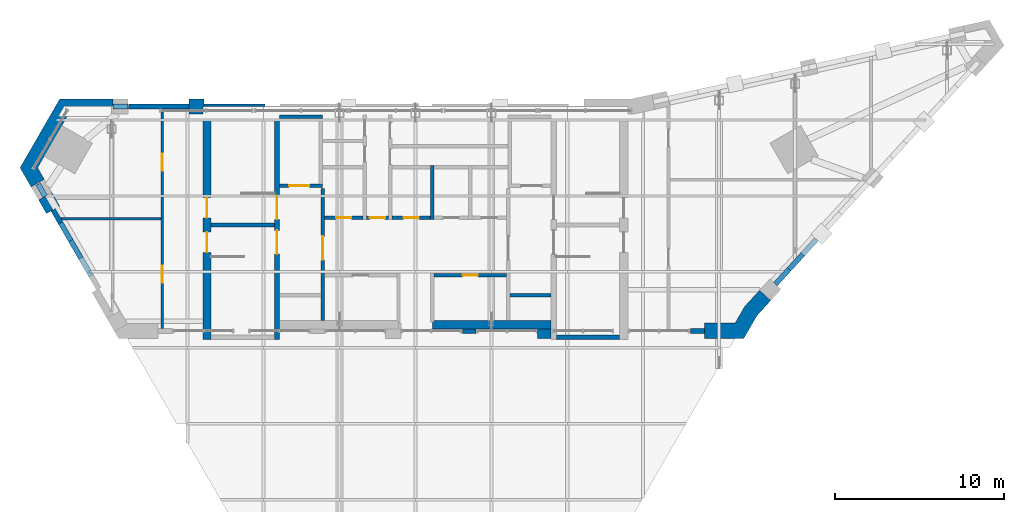
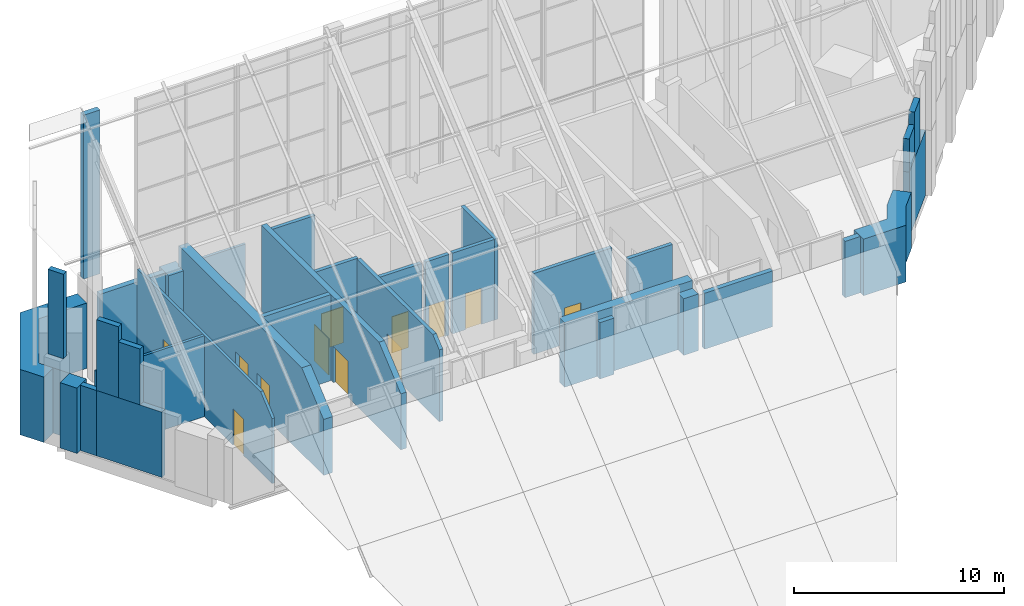
# One storey, part 12 of 19: 33 walls, 12 doors, 12 openings.
"""IFC4 building model written with IfcOpenShell, lengths in metres."""

from ifc_helpers import new_model, si_unit, direction, frame, frame_2d, origin, place, context, subcontext, project, spatial, polyline, rectangle, outline, extrude, material, layer, layer_set, type_object, element, fill, save


model = new_model("IFC4")

# Units and contexts
model_context = context("Model", 3, precision=1e-05, world=origin(), true_north=direction((0.0, 1.0)))
body_context = subcontext(model_context, "Body", "Model", "MODEL_VIEW")
ifc_project = project(units=[si_unit("LENGTHUNIT", "METRE"), si_unit("AREAUNIT", "SQUARE_METRE"), si_unit("VOLUMEUNIT", "CUBIC_METRE"), si_unit("PLANEANGLEUNIT", "RADIAN"), si_unit("MASSUNIT", "GRAM", prefix="KILO")], contexts=[model_context])

# Site, building, storey
site_placement = place(None, origin())
site = spatial("IfcSite", under=ifc_project, at=site_placement, CompositionType="ELEMENT")
building_placement = place(site_placement, origin())
building = spatial("IfcBuilding", under=site, at=building_placement, Name="Calabash Gate Tower", CompositionType="ELEMENT")
storey_placement = place(building_placement, frame((0.0, 0.0, 335.5)))
storey = spatial("IfcBuildingStorey", under=building, at=storey_placement, Name="L78", CompositionType="ELEMENT", Elevation=335.5)

# Walls
ifc_material_1 = material(Name="Terracotta brick masonry, exposed face", Category="masonry")
ifc_layer_1 = layer(ifc_material_1, 0.89990234375)
ifc_layer_set_1 = layer_set([ifc_layer_1], Name="Brick end wall 900")
wall_type_1 = type_object("IfcWallType", Name="Brick end wall 900", PredefinedType="SOLIDWALL", material=ifc_layer_set_1)
wall_1_placement = place(storey_placement, origin())
element("IfcWall", 1, at=wall_1_placement, inside=storey, type_object=wall_type_1, Name="Brick pier L78 crown1.5", PredefinedType="SOLIDWALL", context=body_context, shape_type="SweptSolid", body=[
    extrude(outline(polyline([(7.23583984375, 5.304443359375), (8.050048828125, 5.304443359375), (8.050048828125, 5.8525390625), (7.23583984375, 5.8525390625), (7.23583984375, 5.304443359375)])), origin(), (0.0, 0.0, 1.0), 3.29736328125),
])
wall_2_placement = place(storey_placement, origin())
element("IfcWall", 2, at=wall_2_placement, inside=storey, type_object=wall_type_1, Name="Brick pier L78 crown6.5", PredefinedType="SOLIDWALL", context=body_context, shape_type="SweptSolid", body=[
    extrude(outline(polyline([(-13.415771484375, 19.50244140625), (-13.415771484375, 18.6025390625), (-12.60009765625, 18.6025390625), (-12.60009765625, 19.052490234375), (-12.515625, 19.052490234375), (-12.515625, 19.50244140625), (-13.415771484375, 19.50244140625)])), origin(), (0.0, 0.0, 1.0), 3.800048828125),
])
wall_3_placement = place(storey_placement, origin())
element("IfcWall", 3, at=wall_3_placement, inside=storey, type_object=wall_type_1, Name="Brick end wall L78 2", PredefinedType="SOLIDWALL", context=body_context, shape_type="SweptSolid", body=[
    extrude(outline(polyline([(17.135986328125, 6.204345703125), (17.135986328125, 5.304443359375), (19.463623046875, 5.304443359375), (20.24658203125, 6.66064453125), (21.058837890625, 7.548828125), (20.394775390625, 8.15625), (19.516357421875, 7.19580078125), (18.94384765625, 6.204345703125), (17.135986328125, 6.204345703125)])), origin(), (0.0, 0.0, 1.0), 3.29736328125),
])
wall_4_placement = place(storey_placement, origin())
element("IfcWall", 4, at=wall_4_placement, inside=storey, type_object=wall_type_1, Name="Brick end wall L78 5", PredefinedType="SOLIDWALL", context=body_context, shape_type="SweptSolid", body=[
    extrude(outline(polyline([(-17.915771484375, 18.6025390625), (-17.916015625, 19.50244140625), (-21.072509765625, 19.50244140625), (-23.430908203125, 15.41796875), (-22.776611328125, 14.28466796875), (-21.997314453125, 14.734619140625), (-21.54736328125, 13.955322265625), (-22.32666015625, 13.50537109375), (-21.861328125, 12.699462890625), (-21.081787109375, 13.1494140625), (-22.3916015625, 15.41796875), (-20.552978515625, 18.6025390625), (-17.915771484375, 18.6025390625)])), origin(), (0.0, 0.0, 1.0), 3.800048828125),
])

# Wall, opening, door
ifc_material_2 = material(Name="Gypsum board on steel studs, mineral wool", Category="steel")
ifc_layer_2 = layer(ifc_material_2, 0.199951171875)
ifc_layer_set_2 = layer_set([ifc_layer_2], Name="Core partition 200 gypsum board")
wall_type_2 = type_object("IfcWallType", Name="Core partition 200 gypsum board", PredefinedType="PARTITIONING", material=ifc_layer_set_2)
wall_5_placement = place(storey_placement, frame((1.10009765625, 9.052490234375, 0.0), z_axis=(0.0, 0.0, 1.0), x_axis=(1.0, 0.0, 0.0)))
wall_5 = element("IfcWall", 5, at=wall_5_placement, inside=storey, type_object=wall_type_2, Name="Core partition", PredefinedType="PARTITIONING", context=body_context, shape_type="SweptSolid", body=[
    extrude(rectangle(XDim=4.2998046875, YDim=0.199951171875, at=frame_2d((2.14990234375, 0.0))), origin(), (0.0, 0.0, 1.0), 4.699951171875),
])
opening_1_placement = place(wall_5_placement, frame((1.699951171875, 0.0, 0.0)))
opening_1 = element("IfcOpeningElement", 6, at=opening_1_placement, cuts=wall_5, Name="Opening L78-017", PredefinedType="OPENING", context=body_context, shape_type="SweptSolid", body=[
    extrude(rectangle(XDim=0.89990234375, YDim=2.10009765625, at=frame_2d((0.449951171875, 1.050048828125))), frame((0.0, 0.10986328125, 0.0), z_axis=(0.0, -1.0, 0.0), x_axis=(1.0, 0.0, 0.0)), (0.0, 0.0, 1.0), 0.219970703125),
])
ifc_material_3 = material(Name="Steel fire door set with fire-resisting glazing", Category="steel")
door_type_1 = type_object("IfcDoorType", Name="Fire door D06 900x2100 FD60", OperationType="NOTDEFINED", PredefinedType="DOOR", material=ifc_material_3)
door_1_placement = place(opening_1_placement, origin())
door_1 = element("IfcDoor", 7, at=door_1_placement, inside=storey, type_object=door_type_1, Name="Maintenance Store door", OperationType="SINGLE_SWING_LEFT", OverallHeight=2.10009765625, OverallWidth=0.89990234375, PredefinedType="DOOR", context=body_context, shape_type="SweptSolid", body=[
    extrude(rectangle(XDim=0.89990234375, YDim=2.10009765625, at=frame_2d((0.449951171875, 1.050048828125))), frame((0.0, 0.02490234375, 0.0), z_axis=(0.0, -1.0, 0.0), x_axis=(1.0, 0.0, 0.0)), (0.0, 0.0, 1.0), 0.050048828125),
])
fill(opening_1, door_1)

wall_6_placement = place(storey_placement, frame((-5.39990234375, 12.45263671875, 0.0), z_axis=(0.0, 0.0, 1.0), x_axis=(1.0, 0.0, 0.0)))
wall_6 = element("IfcWall", 8, at=wall_6_placement, inside=storey, type_object=wall_type_2, Name="Core partition", PredefinedType="PARTITIONING", context=body_context, shape_type="SweptSolid", body=[
    extrude(rectangle(XDim=2.2998046875, YDim=0.199951171875, at=frame_2d((1.14990234375, 0.0))), origin(), (0.0, 0.0, 1.0), 4.699951171875),
])
opening_2_placement = place(wall_6_placement, frame((0.699951171875, 0.0, 0.0)))
opening_2 = element("IfcOpeningElement", 9, at=opening_2_placement, cuts=wall_6, Name="Opening L78-020", PredefinedType="OPENING", context=body_context, shape_type="SweptSolid", body=[
    extrude(rectangle(XDim=0.89990234375, YDim=2.10009765625, at=frame_2d((0.449951171875, 1.050048828125))), frame((0.0, 0.10986328125, 0.0), z_axis=(0.0, -1.0, 0.0), x_axis=(1.0, 0.0, 0.0)), (0.0, 0.0, 1.0), 0.219970703125),
])
door_2_placement = place(opening_2_placement, origin())
door_2 = element("IfcDoor", 10, at=door_2_placement, inside=storey, type_object=door_type_1, Name="Plant UPS Room door", OperationType="SINGLE_SWING_RIGHT", OverallHeight=2.10009765625, OverallWidth=0.89990234375, PredefinedType="DOOR", context=body_context, shape_type="SweptSolid", body=[
    extrude(rectangle(XDim=0.89990234375, YDim=2.10009765625, at=frame_2d((0.449951171875, 1.050048828125))), frame((0.0, 0.02490234375, 0.0), z_axis=(0.0, -1.0, 0.0), x_axis=(1.0, 0.0, 0.0)), (0.0, 0.0, 1.0), 0.050048828125),
])
fill(opening_2, door_2)

wall_7_placement = place(storey_placement, frame((-2.89990234375, 12.45263671875, 0.0), z_axis=(0.0, 0.0, 1.0), x_axis=(1.0, 0.0, 0.0)))
wall_7 = element("IfcWall", 11, at=wall_7_placement, inside=storey, type_object=wall_type_2, Name="Core partition", PredefinedType="PARTITIONING", context=body_context, shape_type="SweptSolid", body=[
    extrude(rectangle(XDim=1.2998046875, YDim=0.199951171875, at=frame_2d((0.64990234375, 0.0))), origin(), (0.0, 0.0, 1.0), 4.699951171875),
])
opening_3_placement = place(wall_7_placement, frame((0.199951171875, 0.0, 0.0)))
opening_3 = element("IfcOpeningElement", 12, at=opening_3_placement, cuts=wall_7, Name="Opening L78-009", PredefinedType="OPENING", context=body_context, shape_type="SweptSolid", body=[
    extrude(rectangle(XDim=0.89990234375, YDim=2.10009765625, at=frame_2d((0.449951171875, 1.050048828125))), frame((0.0, 0.10986328125, 0.0), z_axis=(0.0, -1.0, 0.0), x_axis=(1.0, 0.0, 0.0)), (0.0, 0.0, 1.0), 0.219970703125),
])
door_3_placement = place(opening_3_placement, origin())
door_3 = element("IfcDoor", 13, at=door_3_placement, inside=storey, type_object=door_type_1, Name="Service Corridor door", OperationType="SINGLE_SWING_RIGHT", OverallHeight=2.10009765625, OverallWidth=0.89990234375, PredefinedType="DOOR", context=body_context, shape_type="SweptSolid", body=[
    extrude(rectangle(XDim=0.89990234375, YDim=2.10009765625, at=frame_2d((0.449951171875, 1.050048828125))), frame((0.0, 0.02490234375, 0.0), z_axis=(0.0, -1.0, 0.0), x_axis=(1.0, 0.0, 0.0)), (0.0, 0.0, 1.0), 0.050048828125),
])
fill(opening_3, door_3)

wall_8_placement = place(storey_placement, frame((-1.39990234375, 12.45263671875, 0.0), z_axis=(0.0, 0.0, 1.0), x_axis=(1.0, 0.0, 0.0)))
wall_8 = element("IfcWall", 14, at=wall_8_placement, inside=storey, type_object=wall_type_2, Name="Core partition", PredefinedType="PARTITIONING", context=body_context, shape_type="SweptSolid", body=[
    extrude(rectangle(XDim=2.2998046875, YDim=0.199951171875, at=frame_2d((1.14990234375, 0.0))), origin(), (0.0, 0.0, 1.0), 4.699951171875),
])
opening_4_placement = place(wall_8_placement, frame((0.699951171875, 0.0, 0.0)))
opening_4 = element("IfcOpeningElement", 15, at=opening_4_placement, cuts=wall_8, Name="Opening L78-021", PredefinedType="OPENING", context=body_context, shape_type="SweptSolid", body=[
    extrude(rectangle(XDim=0.89990234375, YDim=2.10009765625, at=frame_2d((0.449951171875, 1.050048828125))), frame((0.0, 0.10986328125, 0.0), z_axis=(0.0, -1.0, 0.0), x_axis=(1.0, 0.0, 0.0)), (0.0, 0.0, 1.0), 0.219970703125),
])
door_4_placement = place(opening_4_placement, origin())
door_4 = element("IfcDoor", 16, at=door_4_placement, inside=storey, type_object=door_type_1, Name="Water Tank Room door", OperationType="SINGLE_SWING_RIGHT", OverallHeight=2.10009765625, OverallWidth=0.89990234375, PredefinedType="DOOR", context=body_context, shape_type="SweptSolid", body=[
    extrude(rectangle(XDim=0.89990234375, YDim=2.10009765625, at=frame_2d((0.449951171875, 1.050048828125))), frame((0.0, 0.02490234375, 0.0), z_axis=(0.0, -1.0, 0.0), x_axis=(1.0, 0.0, 0.0)), (0.0, 0.0, 1.0), 0.050048828125),
])
fill(opening_4, door_4)

# Walls
wall_9_placement = place(storey_placement, frame((1.0, 12.3525390625, 0.0), z_axis=(0.0, 0.0, 1.0), x_axis=(0.0, 1.0, 0.0)))
element("IfcWall", 17, at=wall_9_placement, inside=storey, type_object=wall_type_2, Name="Core partition", PredefinedType="PARTITIONING", context=body_context, shape_type="SweptSolid", body=[
    extrude(rectangle(XDim=3.199951171875, YDim=0.199951171875, at=frame_2d((1.60009765625, 0.0))), origin(), (0.0, 0.0, 1.0), 4.699951171875),
])
ifc_material_4 = material(Name="Concrete C60/75", Category="concrete")
ifc_layer_3 = layer(ifc_material_4, 0.25)
ifc_layer_set_3 = layer_set([ifc_layer_3], Name="Core wall 250 Concrete C60/75")
wall_type_3 = type_object("IfcWallType", Name="Core wall 250 Concrete C60/75", PredefinedType="SHEAR", material=ifc_layer_set_3)
wall_10_placement = place(storey_placement, frame((-12.10009765625, 12.027587890625, 0.0), z_axis=(0.0, 0.0, 1.0), x_axis=(1.0, 0.0, 0.0)))
element("IfcWall", 18, at=wall_10_placement, inside=storey, type_object=wall_type_3, Name="Core wall C-MIDW L78", PredefinedType="SHEAR", context=body_context, shape_type="SweptSolid", body=[
    extrude(rectangle(XDim=3.75, YDim=0.25, at=frame_2d((1.875, 0.0))), origin(), (0.0, 0.0, 1.0), 5.0),
])
wall_11_placement = place(storey_placement, frame((8.35009765625, 5.377685546875, 0.0), z_axis=(0.0, 0.0, 1.0), x_axis=(1.0, 0.0, 0.0)))
element("IfcWall", 19, at=wall_11_placement, inside=storey, type_object=wall_type_3, Name="Core wall C-SSE L78", PredefinedType="SHEAR", context=body_context, shape_type="SweptSolid", body=[
    extrude(rectangle(XDim=3.75, YDim=0.25, at=frame_2d((1.875, 0.0))), origin(), (0.0, 0.0, 1.0), 3.25390625),
])

# Wall, openings, doors
ifc_material_5 = material(Name="Concrete C60/75", Category="concrete")
ifc_layer_4 = layer(ifc_material_5, 0.300048828125)
ifc_layer_set_4 = layer_set([ifc_layer_4], Name="Core wall 300 Concrete C60/75")
wall_type_4 = type_object("IfcWallType", Name="Core wall 300 Concrete C60/75", PredefinedType="SHEAR", material=ifc_layer_set_4)
wall_12_placement = place(storey_placement, frame((-8.199951171875, 5.252685546875, 0.0), z_axis=(0.0, 0.0, 1.0), x_axis=(0.0, 1.0, 0.0)))
wall_12 = element("IfcWall", 20, at=wall_12_placement, inside=storey, type_object=wall_type_4, Name="Core wall C-PARTW L78", PredefinedType="SHEAR", context=body_context, shape_type="SweptSolid", body=[
    extrude(outline(polyline([(0.0, 0.0), (13.2998046875, 0.0), (13.300048828125, 5.0), (2.080810546875, 5.0), (0.0, 3.25390625), (0.0, 0.0)])), frame((0.0, 0.14990234375, 0.0), z_axis=(0.0, -1.0, 0.0), x_axis=(1.0, 0.0, 0.0)), (0.0, 0.0, 1.0), 0.300048828125),
])
opening_5_placement = place(wall_12_placement, frame((7.10009765625, 0.0, 0.0)))
opening_5 = element("IfcOpeningElement", 21, at=opening_5_placement, cuts=wall_12, Name="Opening L78-001", PredefinedType="OPENING", context=body_context, shape_type="SweptSolid", body=[
    extrude(rectangle(XDim=1.39990234375, YDim=2.10009765625, at=frame_2d((0.699951171875, 1.050048828125))), frame((0.0, 0.159912109375, 0.0), z_axis=(0.0, -1.0, 0.0), x_axis=(1.0, 0.0, 0.0)), (0.0, 0.0, 1.0), 0.320068359375),
])
opening_6_placement = place(wall_12_placement, frame((5.050048828125, 0.0, 0.0)))
opening_6 = element("IfcOpeningElement", 22, at=opening_6_placement, cuts=wall_12, Name="Opening L78-002", PredefinedType="OPENING", context=body_context, shape_type="SweptSolid", body=[
    extrude(rectangle(XDim=1.39990234375, YDim=2.10009765625, at=frame_2d((0.699951171875, 1.050048828125))), frame((0.0, 0.159912109375, 0.0), z_axis=(0.0, -1.0, 0.0), x_axis=(1.0, 0.0, 0.0)), (0.0, 0.0, 1.0), 0.320068359375),
])
ifc_material_6 = material(Name="Steel fire door set with fire-resisting glazing", Category="steel")
door_type_2 = type_object("IfcDoorType", Name="Fire door D05 1400x2100 FD90", OperationType="NOTDEFINED", PredefinedType="DOOR", material=ifc_material_6)
door_5_placement = place(opening_5_placement, origin())
door_5 = element("IfcDoor", 23, at=door_5_placement, inside=storey, type_object=door_type_2, Name="Exit stair door ST1", OperationType="SINGLE_SWING_LEFT", OverallHeight=2.10009765625, OverallWidth=1.39990234375, PredefinedType="DOOR", context=body_context, shape_type="SweptSolid", body=[
    extrude(rectangle(XDim=1.39990234375, YDim=2.10009765625, at=frame_2d((0.699951171875, 1.050048828125))), frame((0.0, 0.02490234375, 0.0), z_axis=(0.0, -1.0, 0.0), x_axis=(1.0, 0.0, 0.0)), (0.0, 0.0, 1.0), 0.050048828125),
])
fill(opening_5, door_5)
door_6_placement = place(opening_6_placement, origin())
door_6 = element("IfcDoor", 24, at=door_6_placement, inside=storey, type_object=door_type_2, Name="Exit stair door ST2", OperationType="SINGLE_SWING_LEFT", OverallHeight=2.10009765625, OverallWidth=1.39990234375, PredefinedType="DOOR", context=body_context, shape_type="SweptSolid", body=[
    extrude(rectangle(XDim=1.39990234375, YDim=2.10009765625, at=frame_2d((0.699951171875, 1.050048828125))), frame((0.0, 0.02490234375, 0.0), z_axis=(0.0, -1.0, 0.0), x_axis=(1.0, 0.0, 0.0)), (0.0, 0.0, 1.0), 0.050048828125),
])
fill(opening_6, door_6)

ifc_material_7 = material(Name="Concrete C60/75", Category="concrete")
ifc_layer_5 = layer(ifc_material_7, 0.5)
ifc_layer_set_5 = layer_set([ifc_layer_5], Name="Core wall 500 Concrete C60/75")
wall_type_5 = type_object("IfcWallType", Name="Core wall 500 Concrete C60/75", PredefinedType="SHEAR", material=ifc_layer_set_5)
wall_13_placement = place(storey_placement, frame((-12.35009765625, 5.252685546875, 0.0), z_axis=(0.0, 0.0, 1.0), x_axis=(0.0, 1.0, 0.0)))
wall_13 = element("IfcWall", 25, at=wall_13_placement, inside=storey, type_object=wall_type_5, Name="Core wall C-COLW L78", PredefinedType="SHEAR", context=body_context, shape_type="SweptSolid", body=[
    extrude(outline(polyline([(0.0, 0.0), (13.7998046875, 0.0), (13.800048828125, 5.0), (2.080810546875, 5.0), (0.0, 3.25390625), (0.0, 0.0)])), frame((0.0, 0.25, 0.0), z_axis=(0.0, -1.0, 0.0), x_axis=(1.0, 0.0, 0.0)), (0.0, 0.0, 1.0), 0.5),
])
opening_7_placement = place(wall_13_placement, frame((7.199951171875, 0.0, 0.0)))
opening_7 = element("IfcOpeningElement", 26, at=opening_7_placement, cuts=wall_13, Name="Opening L78-005", PredefinedType="OPENING", context=body_context, shape_type="SweptSolid", body=[
    extrude(rectangle(XDim=1.199951171875, YDim=2.10009765625, at=frame_2d((0.60009765625, 1.050048828125))), frame((0.0, 0.260009765625, 0.0), z_axis=(0.0, -1.0, 0.0), x_axis=(1.0, 0.0, 0.0)), (0.0, 0.0, 1.0), 0.52001953125),
])
opening_8_placement = place(wall_13_placement, frame((5.14990234375, 0.0, 0.0)))
opening_8 = element("IfcOpeningElement", 27, at=opening_8_placement, cuts=wall_13, Name="Opening L78-006", PredefinedType="OPENING", context=body_context, shape_type="SweptSolid", body=[
    extrude(rectangle(XDim=1.199951171875, YDim=2.10009765625, at=frame_2d((0.60009765625, 1.050048828125))), frame((0.0, 0.260009765625, 0.0), z_axis=(0.0, -1.0, 0.0), x_axis=(1.0, 0.0, 0.0)), (0.0, 0.0, 1.0), 0.52001953125),
])
ifc_material_8 = material(Name="Steel fire door set with fire-resisting glazing", Category="steel")
door_type_3 = type_object("IfcDoorType", Name="Fire door D10 1200x2100 FD90", OperationType="NOTDEFINED", PredefinedType="DOOR", material=ifc_material_8)
door_7_placement = place(opening_7_placement, origin())
door_7 = element("IfcDoor", 28, at=door_7_placement, inside=storey, type_object=door_type_3, Name="Exit stair door ST1", OperationType="SINGLE_SWING_RIGHT", OverallHeight=2.10009765625, OverallWidth=1.199951171875, PredefinedType="DOOR", context=body_context, shape_type="SweptSolid", body=[
    extrude(rectangle(XDim=1.199951171875, YDim=2.10009765625, at=frame_2d((0.60009765625, 1.050048828125))), frame((0.0, 0.02490234375, 0.0), z_axis=(0.0, -1.0, 0.0), x_axis=(1.0, 0.0, 0.0)), (0.0, 0.0, 1.0), 0.050048828125),
])
fill(opening_7, door_7)
door_8_placement = place(opening_8_placement, origin())
door_8 = element("IfcDoor", 29, at=door_8_placement, inside=storey, type_object=door_type_3, Name="Exit stair door ST2", OperationType="SINGLE_SWING_LEFT", OverallHeight=2.10009765625, OverallWidth=1.199951171875, PredefinedType="DOOR", context=body_context, shape_type="SweptSolid", body=[
    extrude(rectangle(XDim=1.199951171875, YDim=2.10009765625, at=frame_2d((0.60009765625, 1.050048828125))), frame((0.0, 0.02490234375, 0.0), z_axis=(0.0, -1.0, 0.0), x_axis=(1.0, 0.0, 0.0)), (0.0, 0.0, 1.0), 0.050048828125),
])
fill(opening_8, door_8)

# Wall
wall_14_placement = place(storey_placement, frame((1.0, 6.1025390625, 0.0), z_axis=(0.0, 0.0, 1.0), x_axis=(1.0, 0.0, 0.0)))
element("IfcWall", 30, at=wall_14_placement, inside=storey, type_object=wall_type_5, Name="Core wall C-SB L78", PredefinedType="SHEAR", context=body_context, shape_type="SweptSolid", body=[
    extrude(rectangle(XDim=7.050048828125, YDim=0.5, at=frame_2d((3.52490234375, 0.0))), origin(), (0.0, 0.0, 1.0), 3.757568359375),
])

# Wall, openings, doors
ifc_material_9 = material(Name="Gypsum board on steel studs, mineral wool", Category="steel")
ifc_layer_6 = layer(ifc_material_9, 0.14990234375)
ifc_layer_set_6 = layer_set([ifc_layer_6], Name="Partition 150 gypsum board")
wall_type_6 = type_object("IfcWallType", Name="Partition 150 gypsum board", PredefinedType="PARTITIONING", material=ifc_layer_set_6)
wall_15_placement = place(storey_placement, frame((-15.0, 5.88427734375, 0.0), z_axis=(0.0, 0.0, 1.0), x_axis=(0.0, 1.0, 0.0)))
wall_15 = element("IfcWall", 31, at=wall_15_placement, inside=storey, type_object=wall_type_6, Name="Partition", PredefinedType="PARTITIONING", context=body_context, shape_type="SweptSolid", body=[
    extrude(outline(polyline([(0.0, 0.0), (12.83837890625, 0.0), (12.838134765625, 4.699951171875), (1.091552734375, 4.699951171875), (0.0, 3.7841796875), (0.0, 0.0)])), frame((0.0, 0.074951171875, 0.0), z_axis=(0.0, -1.0, 0.0), x_axis=(1.0, 0.0, 0.0)), (0.0, 0.0, 1.0), 0.14990234375),
])
opening_9_placement = place(wall_15_placement, frame((9.369140625, 0.0, 0.0)))
opening_9 = element("IfcOpeningElement", 32, at=opening_9_placement, cuts=wall_15, Name="Opening L78-022", PredefinedType="OPENING", context=body_context, shape_type="SweptSolid", body=[
    extrude(rectangle(XDim=1.0, YDim=2.10009765625, at=frame_2d((0.5, 1.050048828125))), frame((0.0, 0.0849609375, 0.0), z_axis=(0.0, -1.0, 0.0), x_axis=(1.0, 0.0, 0.0)), (0.0, 0.0, 1.0), 0.169921875),
])
opening_10_placement = place(wall_15_placement, frame((2.719970703125, 0.0, 0.0)))
opening_10 = element("IfcOpeningElement", 33, at=opening_10_placement, cuts=wall_15, Name="Opening L78-023", PredefinedType="OPENING", context=body_context, shape_type="SweptSolid", body=[
    extrude(rectangle(XDim=1.0, YDim=2.10009765625, at=frame_2d((0.5, 1.050048828125))), frame((0.0, 0.0849609375, 0.0), z_axis=(0.0, -1.0, 0.0), x_axis=(1.0, 0.0, 0.0)), (0.0, 0.0, 1.0), 0.169921875),
])
ifc_material_10 = material(Name="Steel fire door set with fire-resisting glazing", Category="steel")
door_type_4 = type_object("IfcDoorType", Name="Fire door D11 1000x2100 FD60", OperationType="NOTDEFINED", PredefinedType="DOOR", material=ifc_material_10)
door_9_placement = place(opening_9_placement, origin())
door_9 = element("IfcDoor", 34, at=door_9_placement, inside=storey, type_object=door_type_4, Name="Electrical Switch Room door", OperationType="SINGLE_SWING_LEFT", OverallHeight=2.10009765625, OverallWidth=1.0, PredefinedType="DOOR", context=body_context, shape_type="SweptSolid", body=[
    extrude(rectangle(XDim=1.0, YDim=2.10009765625, at=frame_2d((0.5, 1.050048828125))), frame((0.0, 0.02490234375, 0.0), z_axis=(0.0, -1.0, 0.0), x_axis=(1.0, 0.0, 0.0)), (0.0, 0.0, 1.0), 0.050048828125),
])
fill(opening_9, door_9)
door_10_placement = place(opening_10_placement, origin())
door_10 = element("IfcDoor", 35, at=door_10_placement, inside=storey, type_object=door_type_4, Name="Plant BMS Room door", OperationType="SINGLE_SWING_RIGHT", OverallHeight=2.10009765625, OverallWidth=1.0, PredefinedType="DOOR", context=body_context, shape_type="SweptSolid", body=[
    extrude(rectangle(XDim=1.0, YDim=2.10009765625, at=frame_2d((0.5, 1.050048828125))), frame((0.0, 0.02490234375, 0.0), z_axis=(0.0, -1.0, 0.0), x_axis=(1.0, 0.0, 0.0)), (0.0, 0.0, 1.0), 0.050048828125),
])
fill(opening_10, door_10)

# Wall
wall_16_placement = place(storey_placement, frame((-21.017578125, 12.4033203125, 0.0), z_axis=(0.0, 0.0, 1.0), x_axis=(1.0, 0.0, 0.0)))
element("IfcWall", 36, at=wall_16_placement, inside=storey, type_object=wall_type_6, Name="Partition", PredefinedType="PARTITIONING", context=body_context, shape_type="SweptSolid", body=[
    extrude(rectangle(XDim=5.942626953125, YDim=0.14990234375, at=frame_2d((2.97119140625, 0.0))), origin(), (0.0, 0.0, 1.0), 4.699951171875),
])

# Wall, opening, door
ifc_material_11 = material(Name="Concrete C40/50", Category="concrete")
ifc_layer_7 = layer(ifc_material_11, 0.199951171875)
ifc_layer_set_7 = layer_set([ifc_layer_7], Name="Shaft wall 200 Concrete C40/50")
wall_type_7 = type_object("IfcWallType", Name="Shaft wall 200 Concrete C40/50", PredefinedType="SOLIDWALL", material=ifc_layer_set_7)
wall_17_placement = place(storey_placement, frame((-5.5, 6.3525390625, 0.0), z_axis=(0.0, 0.0, 1.0), x_axis=(0.0, 1.0, 0.0)))
wall_17 = element("IfcWall", 37, at=wall_17_placement, inside=storey, type_object=wall_type_7, Name="Shaft wall", PredefinedType="SOLIDWALL", context=body_context, shape_type="SweptSolid", body=[
    extrude(outline(polyline([(0.0, 0.0), (7.85009765625, 0.0), (7.85009765625, 4.699951171875), (0.623291015625, 4.699951171875), (0.0, 4.177001953125), (0.0, 0.0)])), frame((0.0, 0.10009765625, 0.0), z_axis=(0.0, -1.0, 0.0), x_axis=(1.0, 0.0, 0.0)), (0.0, 0.0, 1.0), 0.199951171875),
])
opening_11_placement = place(wall_17_placement, frame((3.60009765625, 0.0, 0.0)))
opening_11 = element("IfcOpeningElement", 38, at=opening_11_placement, cuts=wall_17, Name="Opening L78-010", PredefinedType="OPENING", context=body_context, shape_type="SweptSolid", body=[
    extrude(rectangle(XDim=1.39990234375, YDim=2.10009765625, at=frame_2d((0.699951171875, 1.050048828125))), frame((0.0, 0.10986328125, 0.0), z_axis=(0.0, -1.0, 0.0), x_axis=(1.0, 0.0, 0.0)), (0.0, 0.0, 1.0), 0.219970703125),
])
door_11_placement = place(opening_11_placement, origin())
door_11 = element("IfcDoor", 39, at=door_11_placement, inside=storey, type_object=door_type_2, Name="Firefighting Lobby W door", OperationType="SINGLE_SWING_RIGHT", OverallHeight=2.10009765625, OverallWidth=1.39990234375, PredefinedType="DOOR", context=body_context, shape_type="SweptSolid", body=[
    extrude(rectangle(XDim=1.39990234375, YDim=2.10009765625, at=frame_2d((0.699951171875, 1.050048828125))), frame((0.0, 0.02490234375, 0.0), z_axis=(0.0, -1.0, 0.0), x_axis=(1.0, 0.0, 0.0)), (0.0, 0.0, 1.0), 0.050048828125),
])
fill(opening_11, door_11)

# Wall
wall_18_placement = place(storey_placement, frame((5.60009765625, 7.8525390625, 0.0), z_axis=(0.0, 0.0, 1.0), x_axis=(1.0, 0.0, 0.0)))
element("IfcWall", 40, at=wall_18_placement, inside=storey, type_object=wall_type_7, Name="Shaft wall", PredefinedType="SOLIDWALL", context=body_context, shape_type="SweptSolid", body=[
    extrude(rectangle(XDim=2.449951171875, YDim=0.199951171875, at=frame_2d((1.22509765625, 0.0))), origin(), (0.0, 0.0, 1.0), 4.699951171875),
])

# Wall, opening, door
wall_19_placement = place(storey_placement, frame((-8.050048828125, 14.3525390625, 0.0), z_axis=(0.0, 0.0, 1.0), x_axis=(1.0, 0.0, 0.0)))
wall_19 = element("IfcWall", 41, at=wall_19_placement, inside=storey, type_object=wall_type_7, Name="Shaft wall", PredefinedType="SOLIDWALL", context=body_context, shape_type="SweptSolid", body=[
    extrude(rectangle(XDim=2.550048828125, YDim=0.199951171875, at=frame_2d((1.27490234375, 0.0))), origin(), (0.0, 0.0, 1.0), 4.699951171875),
])
opening_12_placement = place(wall_19_placement, frame((0.574951171875, 0.0, 0.0)))
opening_12 = element("IfcOpeningElement", 42, at=opening_12_placement, cuts=wall_19, Name="Opening LD-FF1", PredefinedType="OPENING", context=body_context, shape_type="SweptSolid", body=[
    extrude(rectangle(XDim=1.199951171875, YDim=2.10009765625, at=frame_2d((0.60009765625, 1.050048828125))), frame((0.0, 0.10986328125, 0.0), z_axis=(0.0, -1.0, 0.0), x_axis=(1.0, 0.0, 0.0)), (0.0, 0.0, 1.0), 0.219970703125),
])
ifc_material_12 = material(Name="Stainless steel sliding door leaves", Category="steel")
door_type_5 = type_object("IfcDoorType", Name="Lift landing door LS3 1200x2100 FD90", OperationType="DOUBLE_DOOR_SLIDING", PredefinedType="DOOR", material=ifc_material_12)
door_12_placement = place(opening_12_placement, origin())
door_12 = element("IfcDoor", 43, at=door_12_placement, inside=storey, type_object=door_type_5, Name="Lift landing door FF1", OperationType="DOUBLE_DOOR_SLIDING", OverallHeight=2.10009765625, OverallWidth=1.199951171875, PredefinedType="DOOR", context=body_context, shape_type="SweptSolid", body=[
    extrude(rectangle(XDim=1.199951171875, YDim=2.10009765625, at=frame_2d((0.60009765625, 1.050048828125))), frame((0.0, 0.02490234375, 0.0), z_axis=(0.0, -1.0, 0.0), x_axis=(1.0, 0.0, 0.0)), (0.0, 0.0, 1.0), 0.050048828125),
])
fill(opening_12, door_12)

# Walls
wall_20_placement = place(storey_placement, frame((-8.050048828125, 18.45263671875, 0.0), z_axis=(0.0, 0.0, 1.0), x_axis=(1.0, 0.0, 0.0)))
element("IfcWall", 44, at=wall_20_placement, inside=storey, type_object=wall_type_7, Name="Shaft wall", PredefinedType="SOLIDWALL", context=body_context, shape_type="SweptSolid", body=[
    extrude(rectangle(XDim=2.550048828125, YDim=0.199951171875, at=frame_2d((1.27490234375, 0.0))), origin(), (0.0, 0.0, 1.0), 4.699951171875),
])
ifc_material_13 = material(Name="Terracotta louvre blades in an aluminium frame", Category="masonry")
ifc_layer_8 = layer(ifc_material_13, 0.300048828125)
ifc_layer_set_8 = layer_set([ifc_layer_8], Name="Terracotta louvre wall 300")
wall_type_8 = type_object("IfcWallType", Name="Terracotta louvre wall 300", PredefinedType="ELEMENTEDWALL", material=ifc_layer_set_8)
wall_21_placement = place(storey_placement, frame((-21.021484375, 12.14501953125, 0.0), z_axis=(0.0, 0.0, 1.0), x_axis=(0.499961193289, -0.866047807691, 0.0)))
element("IfcWall", 45, at=wall_21_placement, inside=storey, type_object=wall_type_8, Name="LOUVRE L78 crown0.1", PredefinedType="ELEMENTEDWALL", context=body_context, shape_type="SweptSolid", body=[
    extrude(rectangle(XDim=3.599853515625, YDim=0.300048828125, at=frame_2d((1.7998046875, 0.0))), origin(), (0.0, 0.0, 1.0), 3.800048828125),
])
wall_22_placement = place(storey_placement, origin())
element("IfcWall", 46, at=wall_22_placement, inside=storey, type_object=wall_type_8, Name="LOUVRE L78 crown3.1", PredefinedType="ELEMENTEDWALL", context=body_context, shape_type="SweptSolid", body=[
    extrude(outline(polyline([(23.653076171875, 11.274658203125), (21.224853515625, 8.619384765625), (21.4462890625, 8.4169921875), (23.874267578125, 11.072265625), (23.653076171875, 11.274658203125)])), origin(), (0.0, 0.0, 1.0), 3.800048828125),
])
wall_23_placement = place(storey_placement, origin())
element("IfcWall", 47, at=wall_23_placement, inside=storey, type_object=wall_type_8, Name="LOUVRE L78 crown6.5", PredefinedType="ELEMENTEDWALL", context=body_context, shape_type="SweptSolid", body=[
    extrude(outline(polyline([(-8.915771484375, 19.20263671875), (-12.515625, 19.20263671875), (-12.515625, 19.052490234375), (-8.915771484375, 19.052490234375), (-8.915771484375, 19.20263671875)])), origin(), (0.0, 0.0, 1.0), 3.800048828125),
])
wall_24_placement = place(storey_placement, frame((-13.415771484375, 19.052490234375, 0.0), z_axis=(0.0, 0.0, 1.0), x_axis=(-1.0, 0.0, 0.0)))
element("IfcWall", 48, at=wall_24_placement, inside=storey, type_object=wall_type_8, Name="LOUVRE L78 crown6.6", PredefinedType="ELEMENTEDWALL", context=body_context, shape_type="SweptSolid", body=[
    extrude(rectangle(XDim=3.599853515625, YDim=0.300048828125, at=frame_2d((1.7998046875, 0.0))), origin(), (0.0, 0.0, 1.0), 3.800048828125),
])
wall_25_placement = place(storey_placement, frame((0.0, 0.0, 5.0)))
element("IfcWall", 49, at=wall_25_placement, inside=storey, type_object=wall_type_8, Name="LOUVRE L78 crown upper 0.2h", PredefinedType="ELEMENTEDWALL", context=body_context, shape_type="SweptSolid", body=[
    extrude(outline(polyline([(-21.806884765625, 13.805419921875), (-22.223388671875, 14.526611328125), (-22.483154296875, 14.376708984375), (-22.066650390625, 13.6552734375), (-21.806884765625, 13.805419921875)])), origin(), (0.0, 0.0, 1.0), 4.9169921875),
])
wall_26_placement = place(storey_placement, frame((0.0, 0.0, 5.0)))
element("IfcWall", 50, at=wall_26_placement, inside=storey, type_object=wall_type_8, Name="LOUVRE L78 crown upper 6.11h", PredefinedType="ELEMENTEDWALL", context=body_context, shape_type="SweptSolid", body=[
    extrude(outline(polyline([(-17.01611328125, 19.20263671875), (-17.916015625, 19.20263671875), (-17.916015625, 18.902587890625), (-17.01611328125, 18.902587890625), (-17.01611328125, 19.20263671875)])), origin(), (0.0, 0.0, 1.0), 9.525390625),
])
wall_27_placement = place(storey_placement, frame((-21.021484375, 12.14501953125, 3.800048828125), z_axis=(0.0, 0.0, 1.0), x_axis=(0.499880961361, -0.866094119867, 0.0)))
element("IfcWall", 51, at=wall_27_placement, inside=storey, type_object=wall_type_8, Name="LOUVRE L78 crown upper 0.1", PredefinedType="ELEMENTEDWALL", context=body_context, shape_type="SweptSolid", body=[
    extrude(rectangle(XDim=1.199951171875, YDim=0.300048828125, at=frame_2d((0.60009765625, 0.0))), origin(), (0.0, 0.0, 1.0), 4.1201171875),
])
wall_28_placement = place(storey_placement, frame((-20.421630859375, 11.105712890625, 3.800048828125), z_axis=(0.0, 0.0, 1.0), x_axis=(0.50012165622, -0.865955154139, 0.0)))
element("IfcWall", 52, at=wall_28_placement, inside=storey, type_object=wall_type_8, Name="LOUVRE L78 crown upper 0.2", PredefinedType="ELEMENTEDWALL", context=body_context, shape_type="SweptSolid", body=[
    extrude(rectangle(XDim=1.199951171875, YDim=0.300048828125, at=frame_2d((0.60009765625, 0.0))), origin(), (0.0, 0.0, 1.0), 3.248291015625),
])
wall_29_placement = place(storey_placement, frame((21.335693359375, 8.518310546875, 3.800048828125), z_axis=(0.0, 0.0, 1.0), x_axis=(0.674848398596, 0.737956393639, 0.0)))
element("IfcWall", 53, at=wall_29_placement, inside=storey, type_object=wall_type_8, Name="LOUVRE L78 crown upper 5.1", PredefinedType="ELEMENTEDWALL", context=body_context, shape_type="SweptSolid", body=[
    extrude(rectangle(XDim=1.19921875, YDim=0.300048828125, at=frame_2d((0.599609375, 0.0))), origin(), (0.0, 0.0, 1.0), 1.927001953125),
])
wall_30_placement = place(storey_placement, frame((22.14501953125, 9.4033203125, 3.800048828125), z_axis=(0.0, 0.0, 1.0), x_axis=(0.674848398596, 0.737956393639, 0.0)))
element("IfcWall", 54, at=wall_30_placement, inside=storey, type_object=wall_type_8, Name="LOUVRE L78 crown upper 5.2", PredefinedType="ELEMENTEDWALL", context=body_context, shape_type="SweptSolid", body=[
    extrude(rectangle(XDim=1.19921875, YDim=0.300048828125, at=frame_2d((0.599609375, 0.0))), origin(), (0.0, 0.0, 1.0), 2.669677734375),
])
wall_31_placement = place(storey_placement, frame((-21.026123046875, 12.153076171875, 0.0), z_axis=(0.0, 0.0, 1.0), x_axis=(-0.50004820116, 0.865997573043, 0.0)))
element("IfcWall", 55, at=wall_31_placement, inside=storey, type_object=wall_type_8, Name="LOUVRE L78 edge crown0.c1", PredefinedType="ELEMENTEDWALL", context=body_context, shape_type="SweptSolid", body=[
    extrude(rectangle(XDim=0.88671875, YDim=0.300048828125, at=frame_2d((0.443359375, 0.0))), origin(), (0.0, 0.0, 1.0), 3.800048828125),
])
wall_32_placement = place(storey_placement, frame((2.798095703125, 5.7265625, 0.0), z_axis=(0.0, 0.0, 1.0), x_axis=(1.0, 0.0, 0.0)))
element("IfcWall", 56, at=wall_32_placement, inside=storey, type_object=wall_type_8, Name="LOUVRE L78 edge crown1.c5", PredefinedType="ELEMENTEDWALL", context=body_context, shape_type="SweptSolid", body=[
    extrude(rectangle(XDim=0.7900390625, YDim=0.244384765625, at=frame_2d((0.39501953125, 0.0))), origin(), (0.0, 0.0, 1.0), 3.27880859375),
])
wall_33_placement = place(storey_placement, frame((16.298095703125, 5.75439453125, 0.0), z_axis=(0.0, 0.0, 1.0), x_axis=(1.0, 0.0, 0.0)))
element("IfcWall", 57, at=wall_33_placement, inside=storey, type_object=wall_type_8, Name="LOUVRE L78 edge crown1.c6", PredefinedType="ELEMENTEDWALL", context=body_context, shape_type="SweptSolid", body=[
    extrude(rectangle(XDim=0.833740234375, YDim=0.300048828125, at=frame_2d((0.4169921875, 0.0))), origin(), (0.0, 0.0, 1.0), 3.27880859375),
])

save(model, "model.ifc")
